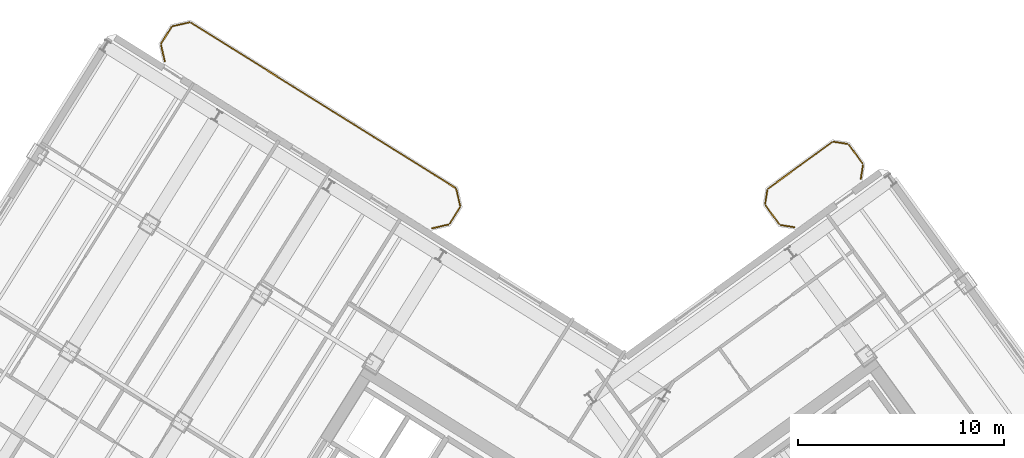
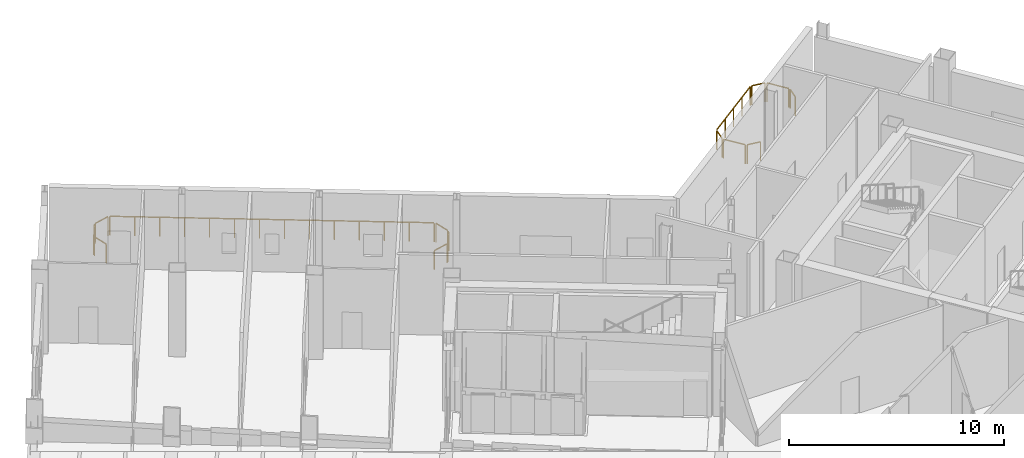
# One storey, part 21 of 21: 14 railings.
"""IFC4 building model written with IfcOpenShell, lengths in metres."""

from ifc_helpers import new_model, si_unit, direction, frame, origin, origin_2d, place, context, subcontext, project, spatial, rectangle, extrude, source, transform, mapped, material, type_object, element, save


model = new_model("IFC4")

# Units and contexts
model_context = context("Model", 3, precision=1e-05, world=origin(), true_north=direction((0.0, 1.0)))
body_context = subcontext(model_context, "Body", "Model", "MODEL_VIEW")
ifc_project = project(units=[si_unit("LENGTHUNIT", "METRE"), si_unit("AREAUNIT", "SQUARE_METRE"), si_unit("VOLUMEUNIT", "CUBIC_METRE"), si_unit("PLANEANGLEUNIT", "RADIAN"), si_unit("MASSUNIT", "GRAM", prefix="KILO")], contexts=[model_context])

# Site, building, storey
site_placement = place(None, origin())
site = spatial("IfcSite", under=ifc_project, at=site_placement, CompositionType="ELEMENT")
building_placement = place(site_placement, origin())
building = spatial("IfcBuilding", under=site, at=building_placement, Name="Tlacorven Tower", CompositionType="ELEMENT")
storey_placement = place(building_placement, frame((0.0, 0.0, 179.39990234375)))
storey = spatial("IfcBuildingStorey", under=building, at=storey_placement, Name="L45", CompositionType="ELEMENT", Elevation=179.39990234375)

# Railings
ifc_material = material(Name="Aluminium and painted steel balustrade", Category="steel")
railing_type = type_object("IfcRailingType", Name="RL-BAL-1100", PredefinedType="BALUSTRADE", material=ifc_material)
shared_shape_1 = source(origin(), body_context, "Body", "SweptSolid", [
    extrude(rectangle(XDim=0.048095703125, YDim=0.048095703125, at=origin_2d()), frame((0.0, 0.0, 1.076171875), z_axis=(0.974345290916, 0.225058334816, 0.0), x_axis=(-0.225058334816, 0.974345290916, 0.0)), (0.0, 0.0, 1.0), 0.80712890625),
    extrude(rectangle(XDim=0.0419921875, YDim=0.0419921875, at=origin_2d()), origin(), (0.0, 0.0, 1.0), 1.052001953125),
    extrude(rectangle(XDim=0.0419921875, YDim=0.0419921875, at=origin_2d()), frame((0.786376953125, 0.181640625, 0.0)), (0.0, 0.0, 1.0), 1.052001953125),
])
railing_1_placement = place(storey_placement, frame((20.2138671875, 47.643798828125, 0.0)))
element("IfcRailing", 1, at=railing_1_placement, inside=storey, type_object=railing_type, Name="BAL-L45-W-IN Guard Railing 6", PredefinedType="BALUSTRADE", context=body_context, shape_type="MappedRepresentation", body=[
    mapped(shared_shape_1, transform((0.0, 0.0, 0.0), scale=1.0)),
])
shared_shape_2 = source(origin(), body_context, "Body", "SweptSolid", [
    extrude(rectangle(XDim=0.048095703125, YDim=0.048095703125, at=origin_2d()), frame((0.0, 0.0, 1.076171875), z_axis=(-0.987661653326, 0.156602868908, 0.0), x_axis=(-0.156602868908, -0.987661653326, 0.0)), (0.0, 0.0, 1.0), 0.665771484375),
    extrude(rectangle(XDim=0.0419921875, YDim=0.0419921875, at=origin_2d()), origin(), (0.0, 0.0, 1.0), 1.052001953125),
    extrude(rectangle(XDim=0.0419921875, YDim=0.0419921875, at=origin_2d()), frame((-0.657470703125, 0.104248046875, 0.0)), (0.0, 0.0, 1.0), 1.052001953125),
])
railing_2_placement = place(storey_placement, frame((50.359130859375, 37.891845703125, 0.0)))
element("IfcRailing", 2, at=railing_2_placement, inside=storey, type_object=railing_type, Name="BAL-L45-E-IN Guard Railing 1", PredefinedType="BALUSTRADE", context=body_context, shape_type="MappedRepresentation", body=[
    mapped(shared_shape_2, transform((0.0, 0.0, 0.0), scale=1.0)),
])
shared_shape_3 = source(origin(), body_context, "Body", "SweptSolid", [
    extrude(rectangle(XDim=0.048095703125, YDim=0.048095703125, at=origin_2d()), frame((0.0, 0.0, 1.076171875), z_axis=(0.156602868908, 0.987661653326, 0.0), x_axis=(-0.987661653326, 0.156602868908, 0.0)), (0.0, 0.0, 1.0), 0.665771484375),
    extrude(rectangle(XDim=0.0419921875, YDim=0.0419921875, at=origin_2d()), origin(), (0.0, 0.0, 1.0), 1.052001953125),
    extrude(rectangle(XDim=0.0419921875, YDim=0.0419921875, at=origin_2d()), frame((0.104248046875, 0.657470703125, 0.0)), (0.0, 0.0, 1.0), 1.052001953125),
])
railing_3_placement = place(storey_placement, frame((48.947509765625, 39.033935546875, 0.0)))
element("IfcRailing", 3, at=railing_3_placement, inside=storey, type_object=railing_type, Name="BAL-L45-E-IN Guard Railing 3", PredefinedType="BALUSTRADE", context=body_context, shape_type="MappedRepresentation", body=[
    mapped(shared_shape_3, transform((0.0, 0.0, 0.0), scale=1.0)),
])
shared_shape_4 = source(origin(), body_context, "Body", "SweptSolid", [
    extrude(rectangle(XDim=0.048095703125, YDim=0.048095703125, at=origin_2d()), frame((0.0, 0.0, 1.076171875), z_axis=(-0.156245081039, -0.987718317463, 0.0), x_axis=(0.987718317463, -0.156245081039, 0.0)), (0.0, 0.0, 1.0), 0.66552734375),
    extrude(rectangle(XDim=0.0419921875, YDim=0.0419921875, at=origin_2d()), origin(), (0.0, 0.0, 1.0), 1.052001953125),
    extrude(rectangle(XDim=0.0419921875, YDim=0.0419921875, at=origin_2d()), frame((-0.10400390625, -0.657470703125, 0.0)), (0.0, 0.0, 1.0), 1.052001953125),
])
railing_4_placement = place(storey_placement, frame((53.689453125, 40.893310546875, 0.0)))
element("IfcRailing", 4, at=railing_4_placement, inside=storey, type_object=railing_type, Name="BAL-L45-E-IN Guard Railing 7", PredefinedType="BALUSTRADE", context=body_context, shape_type="MappedRepresentation", body=[
    mapped(shared_shape_4, transform((0.0, 0.0, 0.0), scale=1.0)),
])
shared_shape_5 = source(origin(), body_context, "Body", "SweptSolid", [
    extrude(rectangle(XDim=0.048095703125, YDim=0.048095703125, at=origin_2d()), frame((0.0, 0.0, 1.076171875), z_axis=(0.529998940003, 0.847998304005, 0.0), x_axis=(-0.847998304005, 0.529998940003, 0.0)), (0.0, 0.0, 1.0), 0.912109375),
    extrude(rectangle(XDim=0.0419921875, YDim=0.0419921875, at=origin_2d()), origin(), (0.0, 0.0, 1.0), 1.052001953125),
    extrude(rectangle(XDim=0.0419921875, YDim=0.0419921875, at=origin_2d()), frame((0.4833984375, 0.7734375, 0.0)), (0.0, 0.0, 1.0), 1.052001953125),
])
railing_5_placement = place(storey_placement, frame((19.6552734375, 46.816650390625, 0.0)))
element("IfcRailing", 5, at=railing_5_placement, inside=storey, type_object=railing_type, Name="BAL-L45-W-IN Guard Railing 5", PredefinedType="BALUSTRADE", context=body_context, shape_type="MappedRepresentation", body=[
    mapped(shared_shape_5, transform((0.0, 0.0, 0.0), scale=1.0)),
])
shared_shape_6 = source(origin(), body_context, "Body", "SweptSolid", [
    extrude(rectangle(XDim=0.048095703125, YDim=0.048095703125, at=origin_2d()), frame((0.0, 0.0, 1.076171875), z_axis=(0.224992020761, -0.974360606036, 0.0), x_axis=(0.974360606036, 0.224992020761, 0.0)), (0.0, 0.0, 1.0), 0.807373046875),
    extrude(rectangle(XDim=0.0419921875, YDim=0.0419921875, at=origin_2d()), origin(), (0.0, 0.0, 1.0), 1.052001953125),
    extrude(rectangle(XDim=0.0419921875, YDim=0.0419921875, at=origin_2d()), frame((0.181640625, -0.78662109375, 0.0)), (0.0, 0.0, 1.0), 1.052001953125),
])
railing_6_placement = place(storey_placement, frame((33.965087890625, 39.72412109375, 0.0)))
element("IfcRailing", 6, at=railing_6_placement, inside=storey, type_object=railing_type, Name="BAL-L45-W-IN Guard Railing 1", PredefinedType="BALUSTRADE", context=body_context, shape_type="MappedRepresentation", body=[
    mapped(shared_shape_6, transform((0.0, 0.0, 0.0), scale=1.0)),
])
shared_shape_7 = source(origin(), body_context, "Body", "SweptSolid", [
    extrude(rectangle(XDim=0.048095703125, YDim=0.048095703125, at=origin_2d()), frame((0.0, 0.0, 1.076171875), z_axis=(-0.529998940003, -0.847998304005, 0.0), x_axis=(0.847998304005, -0.529998940003, 0.0)), (0.0, 0.0, 1.0), 0.912109375),
    extrude(rectangle(XDim=0.0419921875, YDim=0.0419921875, at=origin_2d()), origin(), (0.0, 0.0, 1.0), 1.052001953125),
    extrude(rectangle(XDim=0.0419921875, YDim=0.0419921875, at=origin_2d()), frame((-0.4833984375, -0.7734375, 0.0)), (0.0, 0.0, 1.0), 1.052001953125),
])
railing_7_placement = place(storey_placement, frame((34.131591796875, 38.846435546875, 0.0)))
element("IfcRailing", 7, at=railing_7_placement, inside=storey, type_object=railing_type, Name="BAL-L45-W-IN Guard Railing 2", PredefinedType="BALUSTRADE", context=body_context, shape_type="MappedRepresentation", body=[
    mapped(shared_shape_7, transform((0.0, 0.0, 0.0), scale=1.0)),
])
shared_shape_8 = source(origin(), body_context, "Body", "SweptSolid", [
    extrude(rectangle(XDim=0.048095703125, YDim=0.048095703125, at=origin_2d()), frame((0.0, 0.0, 1.076171875), z_axis=(-0.974360606036, -0.224992020761, 0.0), x_axis=(0.224992020761, -0.974360606036, 0.0)), (0.0, 0.0, 1.0), 0.807373046875),
    extrude(rectangle(XDim=0.0419921875, YDim=0.0419921875, at=origin_2d()), origin(), (0.0, 0.0, 1.0), 1.052001953125),
    extrude(rectangle(XDim=0.0419921875, YDim=0.0419921875, at=origin_2d()), frame((-0.78662109375, -0.181640625, 0.0)), (0.0, 0.0, 1.0), 1.052001953125),
])
railing_8_placement = place(storey_placement, frame((33.572998046875, 38.019287109375, 0.0)))
element("IfcRailing", 8, at=railing_8_placement, inside=storey, type_object=railing_type, Name="BAL-L45-W-IN Guard Railing 3", PredefinedType="BALUSTRADE", context=body_context, shape_type="MappedRepresentation", body=[
    mapped(shared_shape_8, transform((0.0, 0.0, 0.0), scale=1.0)),
])
shared_shape_9 = source(origin(), body_context, "Body", "SweptSolid", [
    extrude(rectangle(XDim=0.048095703125, YDim=0.048095703125, at=origin_2d()), frame((0.0, 0.0, 1.076171875), z_axis=(-0.22470489119, 0.974426863277, 0.0), x_axis=(-0.974426863277, -0.22470489119, 0.0)), (0.0, 0.0, 1.0), 0.807373046875),
    extrude(rectangle(XDim=0.0419921875, YDim=0.0419921875, at=origin_2d()), origin(), (0.0, 0.0, 1.0), 1.052001953125),
    extrude(rectangle(XDim=0.0419921875, YDim=0.0419921875, at=origin_2d()), frame((-0.181396484375, 0.78662109375, 0.0)), (0.0, 0.0, 1.0), 1.052001953125),
])
railing_9_placement = place(storey_placement, frame((19.821533203125, 45.93896484375, 0.0)))
element("IfcRailing", 9, at=railing_9_placement, inside=storey, type_object=railing_type, Name="BAL-L45-W-IN Guard Railing 4", PredefinedType="BALUSTRADE", context=body_context, shape_type="MappedRepresentation", body=[
    mapped(shared_shape_9, transform((0.0, 0.0, 0.0), scale=1.0)),
])
shared_shape_10 = source(origin(), body_context, "Body", "SweptSolid", [
    extrude(rectangle(XDim=0.048095703125, YDim=0.048095703125, at=origin_2d()), frame((0.0, 0.0, 1.076171875), z_axis=(0.848051830527, -0.529913287944, 0.0), x_axis=(0.529913287944, 0.848051830527, 0.0)), (0.0, 0.0, 1.0), 15.1171875),
    extrude(rectangle(XDim=0.0419921875, YDim=0.0419921875, at=origin_2d()), origin(), (0.0, 0.0, 1.0), 1.052001953125),
    extrude(rectangle(XDim=0.0419921875, YDim=0.0419921875, at=origin_2d()), frame((0.986083984375, -0.6162109375, 0.0)), (0.0, 0.0, 1.0), 1.052001953125),
    extrude(rectangle(XDim=0.0419921875, YDim=0.0419921875, at=origin_2d()), frame((1.972412109375, -1.232421875, 0.0)), (0.0, 0.0, 1.0), 1.052001953125),
    extrude(rectangle(XDim=0.0419921875, YDim=0.0419921875, at=origin_2d()), frame((2.95849609375, -1.8486328125, 0.0)), (0.0, 0.0, 1.0), 1.052001953125),
    extrude(rectangle(XDim=0.0419921875, YDim=0.0419921875, at=origin_2d()), frame((3.944580078125, -2.46484375, 0.0)), (0.0, 0.0, 1.0), 1.052001953125),
    extrude(rectangle(XDim=0.0419921875, YDim=0.0419921875, at=origin_2d()), frame((4.930908203125, -3.0810546875, 0.0)), (0.0, 0.0, 1.0), 1.052001953125),
    extrude(rectangle(XDim=0.0419921875, YDim=0.0419921875, at=origin_2d()), frame((5.9169921875, -3.697265625, 0.0)), (0.0, 0.0, 1.0), 1.052001953125),
    extrude(rectangle(XDim=0.0419921875, YDim=0.0419921875, at=origin_2d()), frame((6.903076171875, -4.3134765625, 0.0)), (0.0, 0.0, 1.0), 1.052001953125),
    extrude(rectangle(XDim=0.0419921875, YDim=0.0419921875, at=origin_2d()), frame((7.88916015625, -4.9296875, 0.0)), (0.0, 0.0, 1.0), 1.052001953125),
    extrude(rectangle(XDim=0.0419921875, YDim=0.0419921875, at=origin_2d()), frame((8.87548828125, -5.5458984375, 0.0)), (0.0, 0.0, 1.0), 1.052001953125),
    extrude(rectangle(XDim=0.0419921875, YDim=0.0419921875, at=origin_2d()), frame((9.861572265625, -6.162109375, 0.0)), (0.0, 0.0, 1.0), 1.052001953125),
    extrude(rectangle(XDim=0.0419921875, YDim=0.0419921875, at=origin_2d()), frame((10.84765625, -6.7783203125, 0.0)), (0.0, 0.0, 1.0), 1.052001953125),
    extrude(rectangle(XDim=0.0419921875, YDim=0.0419921875, at=origin_2d()), frame((11.833984375, -7.39453125, 0.0)), (0.0, 0.0, 1.0), 1.052001953125),
    extrude(rectangle(XDim=0.0419921875, YDim=0.0419921875, at=origin_2d()), frame((12.820068359375, -8.0107421875, 0.0)), (0.0, 0.0, 1.0), 1.052001953125),
])
railing_10_placement = place(storey_placement, frame((21.091552734375, 47.81005859375, 0.0)))
element("IfcRailing", 10, at=railing_10_placement, inside=storey, type_object=railing_type, Name="BAL-L45-W-IN Guard Railing 7", PredefinedType="BALUSTRADE", context=body_context, shape_type="MappedRepresentation", body=[
    mapped(shared_shape_10, transform((0.0, 0.0, 0.0), scale=1.0)),
])
shared_shape_11 = source(origin(), body_context, "Body", "SweptSolid", [
    extrude(rectangle(XDim=0.048095703125, YDim=0.048095703125, at=origin_2d()), frame((0.0, 0.0, 1.076171875), z_axis=(-0.587636431696, 0.809125097957, 0.0), x_axis=(-0.809125097957, -0.587636431696, 0.0)), (0.0, 0.0, 1.0), 1.1123046875),
    extrude(rectangle(XDim=0.0419921875, YDim=0.0419921875, at=origin_2d()), origin(), (0.0, 0.0, 1.0), 1.052001953125),
    extrude(rectangle(XDim=0.0419921875, YDim=0.0419921875, at=origin_2d()), frame((-0.653564453125, 0.89990234375, 0.0)), (0.0, 0.0, 1.0), 1.052001953125),
])
railing_11_placement = place(storey_placement, frame((49.622802734375, 38.044189453125, 0.0)))
element("IfcRailing", 11, at=railing_11_placement, inside=storey, type_object=railing_type, Name="BAL-L45-E-IN Guard Railing 2", PredefinedType="BALUSTRADE", context=body_context, shape_type="MappedRepresentation", body=[
    mapped(shared_shape_11, transform((0.0, 0.0, 0.0), scale=1.0)),
])
shared_shape_12 = source(origin(), body_context, "Body", "SweptSolid", [
    extrude(rectangle(XDim=0.048095703125, YDim=0.048095703125, at=origin_2d()), frame((0.0, 0.0, 1.076171875), z_axis=(0.809018102573, 0.587783726986, 0.0), x_axis=(-0.587783726986, 0.809018102573, 0.0)), (0.0, 0.0, 1.0), 3.817138671875),
    extrude(rectangle(XDim=0.0419921875, YDim=0.0419921875, at=origin_2d()), origin(), (0.0, 0.0, 1.0), 1.052001953125),
    extrude(rectangle(XDim=0.0419921875, YDim=0.0419921875, at=origin_2d()), frame((0.77197265625, 0.56103515625, 0.0)), (0.0, 0.0, 1.0), 1.052001953125),
    extrude(rectangle(XDim=0.0419921875, YDim=0.0419921875, at=origin_2d()), frame((1.5439453125, 1.121826171875, 0.0)), (0.0, 0.0, 1.0), 1.052001953125),
    extrude(rectangle(XDim=0.0419921875, YDim=0.0419921875, at=origin_2d()), frame((2.316162109375, 1.6826171875, 0.0)), (0.0, 0.0, 1.0), 1.052001953125),
    extrude(rectangle(XDim=0.0419921875, YDim=0.0419921875, at=origin_2d()), frame((3.088134765625, 2.24365234375, 0.0)), (0.0, 0.0, 1.0), 1.052001953125),
])
railing_12_placement = place(storey_placement, frame((49.10009765625, 39.77001953125, 0.0)))
element("IfcRailing", 12, at=railing_12_placement, inside=storey, type_object=railing_type, Name="BAL-L45-E-IN Guard Railing 4", PredefinedType="BALUSTRADE", context=body_context, shape_type="MappedRepresentation", body=[
    mapped(shared_shape_12, transform((0.0, 0.0, 0.0), scale=1.0)),
])
shared_shape_13 = source(origin(), body_context, "Body", "SweptSolid", [
    extrude(rectangle(XDim=0.048095703125, YDim=0.048095703125, at=origin_2d()), frame((0.0, 0.0, 1.076171875), z_axis=(0.987661653326, -0.156602868908, 0.0), x_axis=(0.156602868908, 0.987661653326, 0.0)), (0.0, 0.0, 1.0), 0.665771484375),
    extrude(rectangle(XDim=0.0419921875, YDim=0.0419921875, at=origin_2d()), origin(), (0.0, 0.0, 1.0), 1.052001953125),
    extrude(rectangle(XDim=0.0419921875, YDim=0.0419921875, at=origin_2d()), frame((0.657470703125, -0.104248046875, 0.0)), (0.0, 0.0, 1.0), 1.052001953125),
])
railing_13_placement = place(storey_placement, frame((52.278076171875, 42.035400390625, 0.0)))
element("IfcRailing", 13, at=railing_13_placement, inside=storey, type_object=railing_type, Name="BAL-L45-E-IN Guard Railing 5", PredefinedType="BALUSTRADE", context=body_context, shape_type="MappedRepresentation", body=[
    mapped(shared_shape_13, transform((0.0, 0.0, 0.0), scale=1.0)),
])
shared_shape_14 = source(origin(), body_context, "Body", "SweptSolid", [
    extrude(rectangle(XDim=0.048095703125, YDim=0.048095703125, at=origin_2d()), frame((0.0, 0.0, 1.076171875), z_axis=(0.587780115446, -0.809020726488, 0.0), x_axis=(0.809020726488, 0.587780115446, 0.0)), (0.0, 0.0, 1.0), 1.1123046875),
    extrude(rectangle(XDim=0.0419921875, YDim=0.0419921875, at=origin_2d()), origin(), (0.0, 0.0, 1.0), 1.052001953125),
    extrude(rectangle(XDim=0.0419921875, YDim=0.0419921875, at=origin_2d()), frame((0.65380859375, -0.89990234375, 0.0)), (0.0, 0.0, 1.0), 1.052001953125),
])
railing_14_placement = place(storey_placement, frame((53.01416015625, 41.883056640625, 0.0)))
element("IfcRailing", 14, at=railing_14_placement, inside=storey, type_object=railing_type, Name="BAL-L45-E-IN Guard Railing 6", PredefinedType="BALUSTRADE", context=body_context, shape_type="MappedRepresentation", body=[
    mapped(shared_shape_14, transform((0.0, 0.0, 0.0), scale=1.0)),
])

save(model, "model.ifc")
